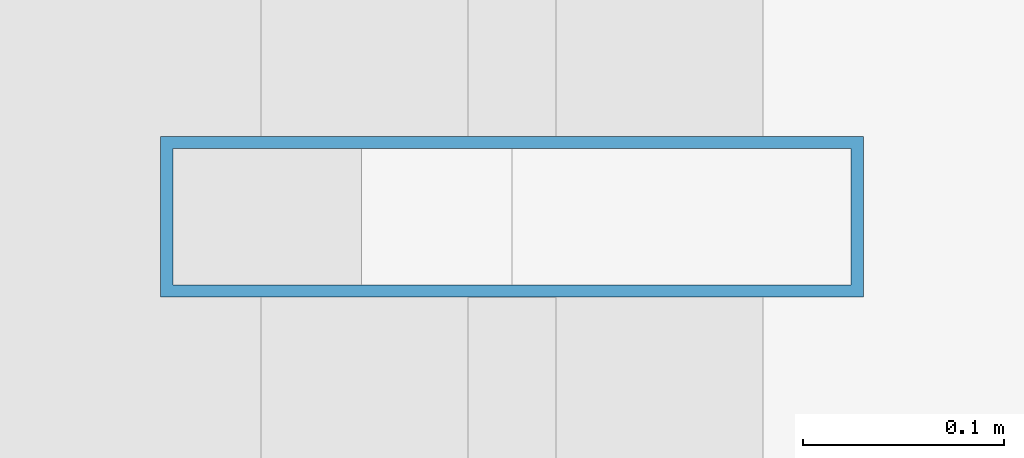
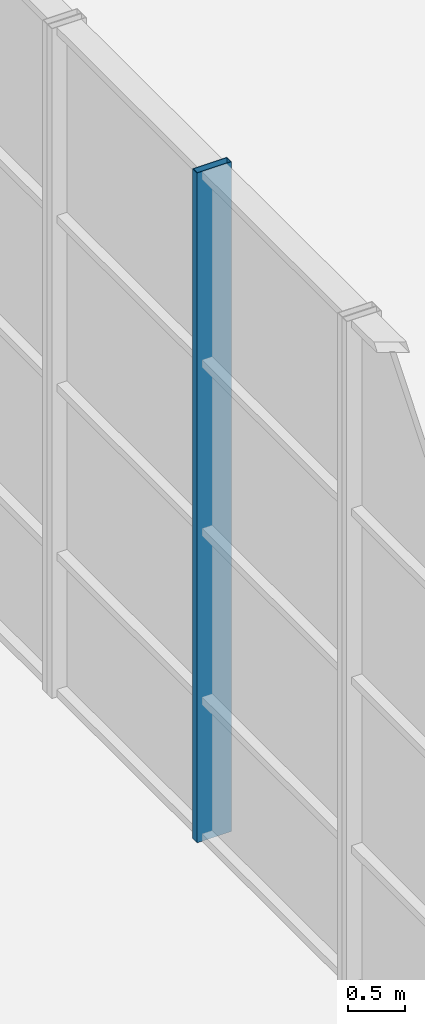
# One storey, part 16 of 45: 1 member, 1 element without a shape of its own.
"""IFC4 building model written with IfcOpenShell, lengths in metres."""

from ifc_helpers import new_model, si_unit, direction, frame, origin, origin_2d, place, context, subcontext, project, spatial, hollow_rectangle, extrude, material, layer, layer_set, material_profile, profile_set, type_object, element, aggregate, save


model = new_model("IFC4")

# Units and contexts
model_context = context("Model", 3, precision=1e-05, world=origin(), true_north=direction((0.0, 1.0)))
body_context = subcontext(model_context, "Body", "Model", "MODEL_VIEW")
ifc_project = project(units=[si_unit("LENGTHUNIT", "METRE"), si_unit("AREAUNIT", "SQUARE_METRE"), si_unit("VOLUMEUNIT", "CUBIC_METRE"), si_unit("PLANEANGLEUNIT", "RADIAN"), si_unit("MASSUNIT", "GRAM", prefix="KILO")], contexts=[model_context])

# Site, building, storey
site_placement = place(None, origin())
site = spatial("IfcSite", under=ifc_project, at=site_placement, CompositionType="ELEMENT")
building_placement = place(site_placement, origin())
building = spatial("IfcBuilding", under=site, at=building_placement, Name="Tuul Gate Civic Tower", CompositionType="ELEMENT")
storey_placement = place(building_placement, origin())
storey = spatial("IfcBuildingStorey", under=building, at=storey_placement, Name="Level 00", CompositionType="ELEMENT", Elevation=0.0)

# Curtain wall, member
ifc_material_1 = material(Name="Stainless steel", Category="steel")
ifc_layer = layer(ifc_material_1, 0.199951171875)
ifc_layer_set = layer_set([ifc_layer], Name="Stainless steel")
curtain_wall_type = type_object("IfcCurtainWallType", Name="Curtain wall CW2", PredefinedType="NOTDEFINED", material=ifc_layer_set)
curtain_wall_placement = place(storey_placement, origin())
curtain_wall = element("IfcCurtainWall", 1, at=curtain_wall_placement, inside=storey, type_object=curtain_wall_type, Name="Curtain wall CW2", PredefinedType="NOTDEFINED")
ifc_material_2 = material(Name="Stainless steel", Category="steel")
ifc_material_profile = material_profile(ifc_material_2, hollow_rectangle(XDim=0.35009765625, YDim=0.080078125, WallThickness=0.006103515625, at=origin_2d()), Name="CW2 mullion")
ifc_profile_set = profile_set([ifc_material_profile], Name="Stainless steel")
member_type = type_object("IfcMemberType", Name="CW2 mullion", PredefinedType="MULLION", material=ifc_profile_set)
member_placement = place(storey_placement, frame((-18.0, 0.214599609375, 0.0), z_axis=(0.0, 0.0, 1.0), x_axis=(-1.0, 0.0, 0.0)))
member = element("IfcMember", 2, at=member_placement, type_object=member_type, Name="Mullion", PredefinedType="MULLION", context=body_context, shape_type="SweptSolid", body=[
    extrude(hollow_rectangle(XDim=0.35009765625, YDim=0.080078125, WallThickness=0.006103515625, at=origin_2d()), origin(), (0.0, 0.0, 1.0), 7.14990234375),
])
aggregate(curtain_wall, [member])

save(model, "model.ifc")
